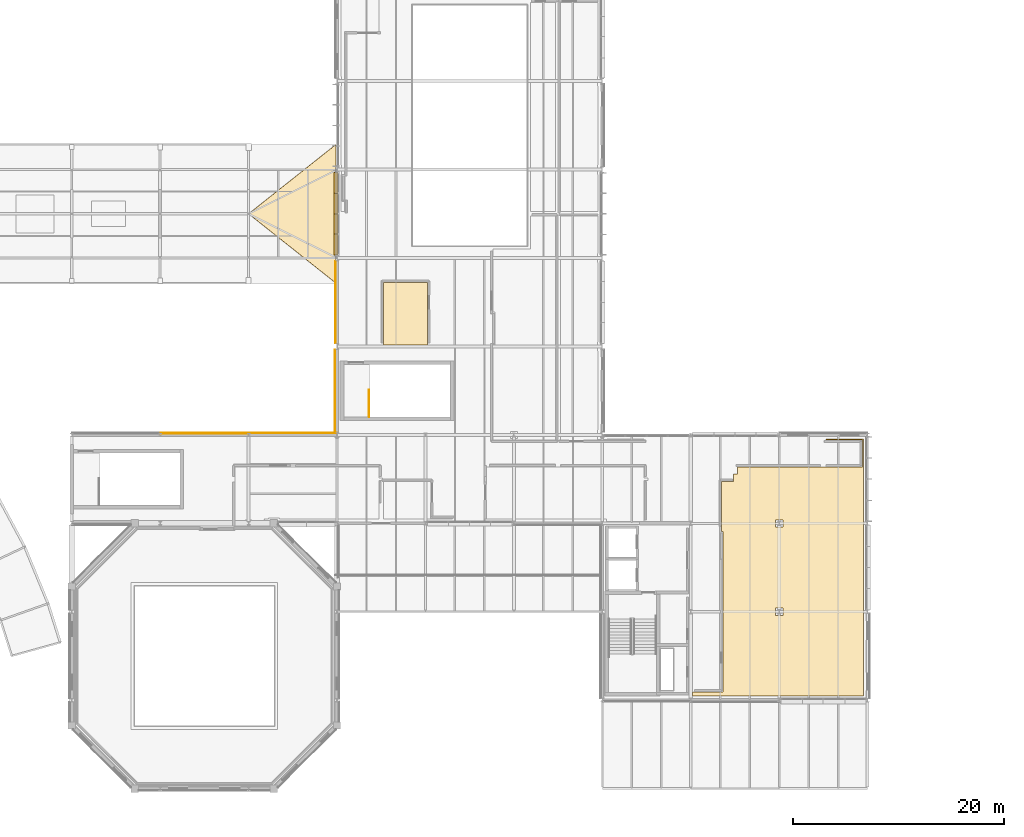
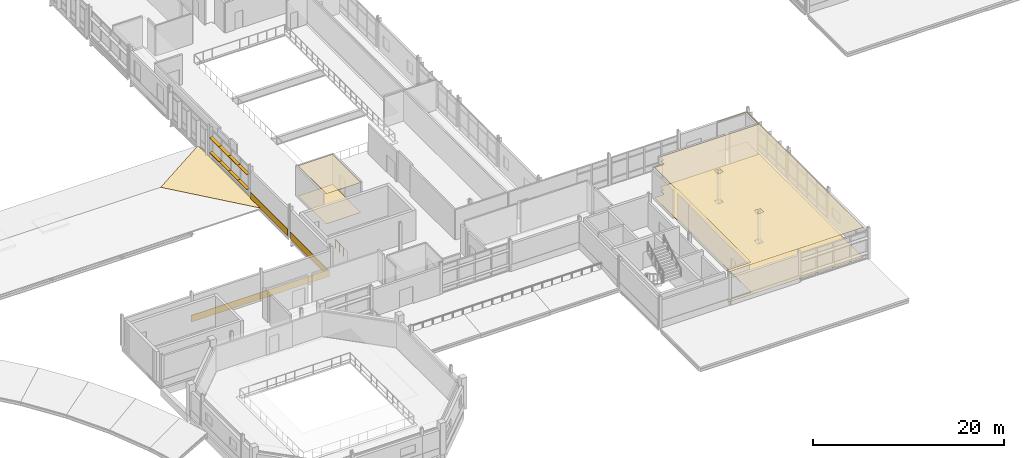
# One storey, part 137 of 151: 9 coverings, 8 shading devices, 1 railing.
"""IFC4 building model written with IfcOpenShell, lengths in metres."""

import ifcopenshell
import ifcopenshell.guid

model = None  # the IFC model being written
_history = None  # IfcOwnerHistory: only IFC2X3 demands one
_inside = {}  # id of a spatial element -> (the spatial element, [elements in it])
_under = {}  # id of a project, library or spatial element -> (it, [spatial elements below it])
_declared = {}  # id of a project -> (the project, [libraries it declares])
_typed = {}  # id of a type object -> (the type object, [elements of that type])
_made_of = {}  # id of a material, layer set ... -> (it, [elements and type objects made of it])


def new_model(schema):
    """Start an empty IFC model of exactly this schema.

    Asked for "IFC4X3", IfcOpenShell would pick the latest addendum, in which some entities
    have other attributes; the version numbers below select the first issue.
    IFC2X3 requires an IfcOwnerHistory on every rooted entity: one is made here for all.
    """
    global model, _history
    if schema == "IFC4X3":
        model = ifcopenshell.file(schema_version=(4, 3, 0, 0))
    else:
        model = ifcopenshell.file(schema=schema)
    _inside.clear()
    _under.clear()
    _declared.clear()
    _typed.clear()
    _made_of.clear()
    _history = None
    if model.schema == "IFC2X3":
        org = make("IfcOrganization", Name="unknown")
        user = make(
            "IfcPersonAndOrganization",
            ThePerson=make("IfcPerson", FamilyName="unknown"),
            TheOrganization=org,
        )
        app = make(
            "IfcApplication",
            ApplicationDeveloper=org,
            Version="unknown",
            ApplicationFullName="unknown",
            ApplicationIdentifier="unknown",
        )
        _history = make(
            "IfcOwnerHistory",
            OwningUser=user,
            OwningApplication=app,
            ChangeAction="ADDED",
            CreationDate=0,
        )
    return model


def make(cls, **values):
    """One entity of the class cls with the attributes given. An attribute that is None is left unset."""
    return model.create_entity(
        cls, **{name: value for name, value in values.items() if value is not None}
    )


def rooted(cls, **values):
    """An entity with a GlobalId (a new one), such as an element, a storey or a relation."""
    return make(cls, GlobalId=ifcopenshell.guid.new(), OwnerHistory=_history, **values)


def si_unit(unit_type, name, prefix=None):
    """IfcSIUnit, for example si_unit("LENGTHUNIT", "METRE", prefix="MILLI")."""
    return make("IfcSIUnit", UnitType=unit_type, Prefix=prefix, Name=name)


def assignment(units):
    """IfcUnitAssignment: the units of a project."""
    return None if units is None else make("IfcUnitAssignment", Units=units)


def point(xyz):
    """IfcCartesianPoint."""
    return None if xyz is None else make("IfcCartesianPoint", Coordinates=xyz)


def direction(xyz):
    """IfcDirection."""
    return None if xyz is None else make("IfcDirection", DirectionRatios=xyz)


def frame(location, z_axis=None, x_axis=None):
    """IfcAxis2Placement3D, a coordinate frame: its origin and axes. An axis left out is left unset."""
    return make(
        "IfcAxis2Placement3D",
        Location=point(location),
        Axis=direction(z_axis),
        RefDirection=direction(x_axis),
    )


def frame_2d(location, x_axis=None):
    """IfcAxis2Placement2D, a coordinate frame in the plane: its origin and x axis."""
    return make(
        "IfcAxis2Placement2D", Location=point(location), RefDirection=direction(x_axis)
    )


def origin():
    """The frame at (0, 0, 0) with its axes left unset."""
    return frame((0.0, 0.0, 0.0))


def origin_2d():
    """The frame at (0, 0) in the plane with its x axis left unset."""
    return frame_2d((0.0, 0.0))


def place(relative_to, where):
    """IfcLocalPlacement: puts the frame where relative to a parent placement (None: the world)."""
    return make(
        "IfcLocalPlacement", PlacementRelTo=relative_to, RelativePlacement=where
    )


def context(
    kind, dimensions, precision=None, world=None, true_north=None, identifier=None
):
    """IfcGeometricRepresentationContext, for example the 3D "Model" context."""
    return make(
        "IfcGeometricRepresentationContext",
        ContextIdentifier=identifier,
        ContextType=kind,
        CoordinateSpaceDimension=dimensions,
        Precision=precision,
        WorldCoordinateSystem=world,
        TrueNorth=true_north,
    )


def subcontext(parent, identifier, kind, view, scale=None):
    """IfcGeometricRepresentationSubContext, for example "Body" below "Model"."""
    return make(
        "IfcGeometricRepresentationSubContext",
        ContextIdentifier=identifier,
        ContextType=kind,
        ParentContext=parent,
        TargetScale=scale,
        TargetView=view,
    )


def project(units=None, contexts=None):
    """IfcProject with its units and contexts."""
    return rooted(
        "IfcProject",
        Name="project",
        RepresentationContexts=contexts,
        UnitsInContext=assignment(units),
    )


def spatial(cls, under=None, at=None, **own):
    """A site, building, storey or space (cls), placed at a placement, below another one or the project."""
    s = rooted(cls, ObjectPlacement=at, **own)
    if under is not None:
        _under.setdefault(under.id(), (under, []))[1].append(s)
    return s


def polyline(points):
    """IfcPolyline through the points."""
    return make("IfcPolyline", Points=[point(p) for p in points])


def profile(cls, at=None, kind="AREA", **sizes):
    """A parametric profile (cls). Its sizes go by their IFC names, for example OverallWidth=200.0."""
    return make(cls, ProfileType=kind, Position=at, **sizes)


def rectangle(**sizes):
    """IfcRectangleProfileDef."""
    return profile("IfcRectangleProfileDef", **sizes)


def circle(**sizes):
    """IfcCircleProfileDef."""
    return profile("IfcCircleProfileDef", **sizes)


def outline(outer, holes=None, kind="AREA"):
    """IfcArbitraryClosedProfileDef: a profile drawn as a closed curve; with holes, ...WithVoids."""
    if holes is None:
        return make("IfcArbitraryClosedProfileDef", ProfileType=kind, OuterCurve=outer)
    return make(
        "IfcArbitraryProfileDefWithVoids",
        ProfileType=kind,
        OuterCurve=outer,
        InnerCurves=holes,
    )


def extrude(swept, where, along, depth):
    """IfcExtrudedAreaSolid: the profile swept, set in the frame where, extruded along a direction by depth."""
    return make(
        "IfcExtrudedAreaSolid",
        SweptArea=swept,
        Position=where,
        ExtrudedDirection=direction(along),
        Depth=depth,
    )


def shape(context_of_items, identifier, shape_type, items):
    """IfcShapeRepresentation: the items that make up one representation, for example the "Body"."""
    return make(
        "IfcShapeRepresentation",
        ContextOfItems=context_of_items,
        RepresentationIdentifier=identifier,
        RepresentationType=shape_type,
        Items=items,
    )


def material(Name=None, Category=None):
    """IfcMaterial."""
    return make("IfcMaterial", Name=Name, Category=Category)


def layer(
    of_material, thickness, ventilated=None, Name=None, Category=None, Priority=None
):
    """IfcMaterialLayer: one layer of a wall or slab, of a material (None: an air gap)."""
    return make(
        "IfcMaterialLayer",
        Material=of_material,
        LayerThickness=thickness,
        IsVentilated=ventilated,
        Name=Name,
        Category=Category,
        Priority=Priority,
    )


def layer_set(layers, Name=None):
    """IfcMaterialLayerSet."""
    return make("IfcMaterialLayerSet", MaterialLayers=layers, LayerSetName=Name)


def made_of(thing, what):
    """Note that an element or type object is made of a material, layer set ...; save() writes the relation."""
    if what is not None:
        _made_of.setdefault(what.id(), (what, []))[1].append(thing)
    return thing


def type_object(cls, material=None, **own):
    """A type object (cls), such as IfcWallType, which elements share."""
    return made_of(rooted(cls, **own), material)


def element(
    cls,
    number,
    at=None,
    inside=None,
    cuts=None,
    type_object=None,
    material=None,
    context=None,
    identifier="Body",
    shape_type=None,
    held_by="IfcProductDefinitionShape",
    body=None,
    shapes=None,
    **own,
):
    """One element of the class cls, such as IfcWall. Its Tag is "e" and its number.

    at: its placement. inside: the storey or other place that contains it. cuts: it is an
    opening in that element (IfcRelVoidsElement). A single representation is given by context,
    identifier, shape_type and body (its items); several are given by shapes. held_by: the class
    of the entity that holds the representations. save() writes the other relations.
    """
    e = rooted(cls, Tag="e%d" % number, ObjectPlacement=at, **own)
    if body is not None:
        shapes = [shape(context, identifier, shape_type, body)]
    if shapes is not None:
        e.Representation = make(held_by, Representations=shapes)
    if inside is not None:
        _inside.setdefault(inside.id(), (inside, []))[1].append(e)
    if cuts is not None:
        rooted(
            "IfcRelVoidsElement", RelatingBuildingElement=cuts, RelatedOpeningElement=e
        )
    if type_object is not None:
        _typed.setdefault(type_object.id(), (type_object, []))[1].append(e)
    return made_of(e, material)


def aggregate(whole, parts):
    """IfcRelAggregates: a whole, such as a stair, and the parts it consists of."""
    return rooted("IfcRelAggregates", RelatingObject=whole, RelatedObjects=parts)


def save(model, path):
    """Write the relations noted so far, then the file.

    IfcRelAggregates (storeys below a building ...), IfcRelContainedInSpatialStructure (elements
    in a storey), IfcRelDefinesByType, IfcRelAssociatesMaterial and IfcRelDeclares: one each for
    every whole, place, type object, material and project.
    """
    for whole, parts in _under.values():
        aggregate(whole, parts)
    for where, things in _inside.values():
        rooted(
            "IfcRelContainedInSpatialStructure",
            RelatedElements=things,
            RelatingStructure=where,
        )
    for kind, things in _typed.values():
        rooted("IfcRelDefinesByType", RelatedObjects=things, RelatingType=kind)
    for what, things in _made_of.values():
        rooted("IfcRelAssociatesMaterial", RelatedObjects=things, RelatingMaterial=what)
    for by, libraries in _declared.values():
        rooted("IfcRelDeclares", RelatingContext=by, RelatedDefinitions=libraries)
    model.write(path)


model = new_model("IFC4")

# Units and contexts
model_context = context("Model", 3, precision=1e-05, world=origin(), true_north=direction((0.0, 1.0)))
body_context = subcontext(model_context, "Body", "Model", "MODEL_VIEW")
ifc_project = project(units=[si_unit("LENGTHUNIT", "METRE"), si_unit("AREAUNIT", "SQUARE_METRE"), si_unit("VOLUMEUNIT", "CUBIC_METRE"), si_unit("PLANEANGLEUNIT", "RADIAN"), si_unit("MASSUNIT", "GRAM", prefix="KILO")], contexts=[model_context])

# Site, building, storey
site_placement = place(None, origin())
site = spatial("IfcSite", under=ifc_project, at=site_placement, CompositionType="ELEMENT")
building_placement = place(site_placement, origin())
building = spatial("IfcBuilding", under=site, at=building_placement, Name="Mersafa Astral City Hall", CompositionType="ELEMENT")
storey_placement = place(building_placement, frame((0.0, 0.0, 9.89990234375)))
storey = spatial("IfcBuildingStorey", under=building, at=storey_placement, Name="L02", CompositionType="ELEMENT", Elevation=9.89990234375)

# Coverings
ifc_material_1 = material(Name="Cairo Mokattam buff limestone cladding", Category="masonry")
ifc_layer_1 = layer(ifc_material_1, 0.06005859375, Name="Cairo Mokattam buff limestone cladding")
ifc_layer_set_1 = layer_set([ifc_layer_1], Name="Cairo Mokattam buff limestone cladding — ENV-COV-LIMESTONE-60")
covering_type_1 = type_object("IfcCoveringType", Name="ENV-COV-LIMESTONE-60", PredefinedType="CLADDING", material=ifc_layer_set_1)
for number, where, z_axis, x_axis, name in (
    (1, (92.260498046875, 46.199951171875, 0.0), (0.0, 0.0, 1.0), (0.0, -1.0, 0.0), "L02 Cairo buff limestone rainscreen cladding 208"),
    (2, (92.222900390625, 37.800048828125, 0.0), (0.0, 0.0, 1.0), (0.0, -1.0, 0.0), "L02 Cairo buff limestone rainscreen cladding 209"),
):
    element("IfcCovering", number, at=place(storey_placement, frame(where, z_axis=z_axis, x_axis=x_axis)), inside=storey, type_object=covering_type_1, Name=name, PredefinedType="CLADDING", context=body_context, shape_type="SweptSolid", body=[
        extrude(rectangle(XDim=7.798095703125, YDim=0.06005859375, at=origin_2d()), origin(), (0.0, 0.0, 1.0), 0.860107421875),
    ])
for number, where, z_axis, x_axis, name in (
    (3, (88.199951171875, 33.76953125, 0.0), (0.0, 0.0, 1.0), (-1.0, 0.0, 0.0), "L02 Cairo buff limestone rainscreen cladding 210"),
    (4, (79.800048828125, 33.761962890625, 0.0), (0.0, 0.0, 1.0), (-1.0, 0.0, 0.0), "L02 Cairo buff limestone rainscreen cladding 211"),
):
    element("IfcCovering", number, at=place(storey_placement, frame(where, z_axis=z_axis, x_axis=x_axis)), inside=storey, type_object=covering_type_1, Name=name, PredefinedType="CLADDING", context=body_context, shape_type="SweptSolid", body=[
        extrude(rectangle(XDim=8.323974609375, YDim=0.06005859375, at=origin_2d()), origin(), (0.0, 0.0, 1.0), 0.860107421875),
    ])
ifc_material_2 = material(Name="Egyptian ceramic terracotta roof tile", Category="masonry")
ifc_layer_2 = layer(ifc_material_2, 0.054931640625, Name="Egyptian ceramic terracotta roof tile")
ifc_layer_set_2 = layer_set([ifc_layer_2], Name="Egyptian ceramic terracotta roof tile — ENV-COV-TERRACOTTA-55")
covering_type_2 = type_object("IfcCoveringType", Name="ENV-COV-TERRACOTTA-55", PredefinedType="ROOFING", material=ifc_layer_set_2)
covering_1_placement = place(storey_placement, frame((92.320068359375, 48.0, 0.052978515625), z_axis=(0.187105484989, 0.0, 0.982339827904), x_axis=(0.0, 1.0, 0.0)))
element("IfcCovering", 5, at=covering_1_placement, inside=storey, type_object=covering_type_2, Name="L02 Warm terracotta ceramic roof tile covering 26", PredefinedType="ROOFING", context=body_context, shape_type="SweptSolid", body=[
    extrude(outline(polyline([(0.0, 0.0), (13.199951171875, 0.0), (6.60009765625, 8.469643725149883), (0.0, 0.0)])), origin(), (0.0, 0.0, -1.0), 0.054931640625),
])

# Shading devices
ifc_material_3 = material(Name="Kiln-dried cedar timber brise-soleil blade", Category="wood")
shading_device_type = type_object("IfcShadingDeviceType", Name="ENV-SHD-LOUVRE-380", PredefinedType="JALOUSIE", material=ifc_material_3)
shading_device_1_placement = place(storey_placement, frame((92.320068359375, 57.519775390625, 0.81494140625), z_axis=(0.0, 0.0, 1.0), x_axis=(0.0, -1.0, 0.0)))
element("IfcShadingDevice", 6, at=shading_device_1_placement, inside=storey, type_object=shading_device_type, Name="L02 Horizontal cedar brise-soleil louvre 939", PredefinedType="JALOUSIE", context=body_context, shape_type="SweptSolid", body=[
    extrude(rectangle(XDim=1.966552734375, YDim=0.3798828125, at=origin_2d()), origin(), (0.0, 0.0, 1.0), 0.070068359375),
])
for number, where, z_axis, x_axis, name in (
    (7, (92.320068359375, 55.578125, 0.81494140625), (0.0, 0.0, 1.0), (0.0, -1.0, 0.0), "L02 Horizontal cedar brise-soleil louvre 940"),
    (8, (92.320068359375, 53.62158203125, 0.81494140625), (0.0, 0.0, 1.0), (0.0, -1.0, 0.0), "L02 Horizontal cedar brise-soleil louvre 941"),
):
    element("IfcShadingDevice", number, at=place(storey_placement, frame(where, z_axis=z_axis, x_axis=x_axis)), inside=storey, type_object=shading_device_type, Name=name, PredefinedType="JALOUSIE", context=body_context, shape_type="SweptSolid", body=[
        extrude(rectangle(XDim=1.99658203125, YDim=0.3798828125, at=origin_2d()), origin(), (0.0, 0.0, 1.0), 0.070068359375),
    ])
for number, where, z_axis, x_axis, name in (
    (9, (92.320068359375, 51.680419921875, 0.81494140625), (0.0, 0.0, 1.0), (0.0, -1.0, 0.0), "L02 Horizontal cedar brise-soleil louvre 942"),
    (10, (92.320068359375, 57.519775390625, 2.71484375), (0.0, 0.0, 1.0), (0.0, -1.0, 0.0), "L02 Horizontal cedar brise-soleil louvre 943"),
):
    element("IfcShadingDevice", number, at=place(storey_placement, frame(where, z_axis=z_axis, x_axis=x_axis)), inside=storey, type_object=shading_device_type, Name=name, PredefinedType="JALOUSIE", context=body_context, shape_type="SweptSolid", body=[
        extrude(rectangle(XDim=1.966552734375, YDim=0.3798828125, at=origin_2d()), origin(), (0.0, 0.0, 1.0), 0.070068359375),
    ])
for number, where, z_axis, x_axis, name in (
    (11, (92.320068359375, 55.578125, 2.71484375), (0.0, 0.0, 1.0), (0.0, -1.0, 0.0), "L02 Horizontal cedar brise-soleil louvre 944"),
    (12, (92.320068359375, 53.62158203125, 2.71484375), (0.0, 0.0, 1.0), (0.0, -1.0, 0.0), "L02 Horizontal cedar brise-soleil louvre 945"),
):
    element("IfcShadingDevice", number, at=place(storey_placement, frame(where, z_axis=z_axis, x_axis=x_axis)), inside=storey, type_object=shading_device_type, Name=name, PredefinedType="JALOUSIE", context=body_context, shape_type="SweptSolid", body=[
        extrude(rectangle(XDim=1.99658203125, YDim=0.3798828125, at=origin_2d()), origin(), (0.0, 0.0, 1.0), 0.070068359375),
    ])
shading_device_2_placement = place(storey_placement, frame((92.320068359375, 51.680419921875, 2.71484375), z_axis=(0.0, 0.0, 1.0), x_axis=(0.0, -1.0, 0.0)))
element("IfcShadingDevice", 13, at=shading_device_2_placement, inside=storey, type_object=shading_device_type, Name="L02 Horizontal cedar brise-soleil louvre 946", PredefinedType="JALOUSIE", context=body_context, shape_type="SweptSolid", body=[
    extrude(rectangle(XDim=1.966552734375, YDim=0.3798828125, at=origin_2d()), origin(), (0.0, 0.0, 1.0), 0.070068359375),
])

# Railing
ifc_material_4 = material(Name="Painted architectural steel stair guard balustrade", Category="steel")
railing_type = type_object("IfcRailingType", Name="GUARD-RAIL", PredefinedType="BALUSTRADE", material=ifc_material_4)
railing_placement = place(storey_placement, frame((95.449951171875, 35.320068359375, 0.0)))
element("IfcRailing", 14, at=railing_placement, inside=storey, type_object=railing_type, Name="L02 ST8 top well guard 1", PredefinedType="BALUSTRADE", context=body_context, shape_type="SweptSolid", body=[
    extrude(circle(Radius=0.02392578125, at=origin_2d()), frame((0.0, 0.0, 1.09619140625), z_axis=(0.0, 1.0, 0.0), x_axis=(-1.0, 0.0, 0.0)), (0.0, 0.0, 1.0), 2.559814453125),
    extrude(circle(Radius=0.02099609375, at=origin_2d()), origin(), (0.0, 0.0, 1.0), 1.072021484375),
    extrude(circle(Radius=0.02099609375, at=origin_2d()), frame((0.0, 0.853271484375, 0.0)), (0.0, 0.0, 1.0), 1.072021484375),
    extrude(circle(Radius=0.02099609375, at=origin_2d()), frame((0.0, 1.70654296875, 0.0)), (0.0, 0.0, 1.0), 1.072021484375),
    extrude(circle(Radius=0.02099609375, at=origin_2d()), frame((0.0, 2.559814453125, 0.0)), (0.0, 0.0, 1.0), 1.072021484375),
])

# Coverings
ifc_material_5 = material(Name="Perforated acoustic gypsum board ceiling", Category="gypsum")
ifc_layer_3 = layer(ifc_material_5, 0.02490234375, Name="Perforated acoustic gypsum board ceiling")
ifc_layer_set_3 = layer_set([ifc_layer_3], Name="Perforated acoustic gypsum board ceiling — INT-COV-CEIL-25")
covering_type_3 = type_object("IfcCoveringType", Name="INT-COV-CEIL-25", PredefinedType="CEILING", material=ifc_layer_set_3)
covering_2_placement = place(storey_placement, frame((0.0, 0.0, 3.8310546875)))
element("IfcCovering", 15, at=covering_2_placement, inside=storey, type_object=covering_type_3, Name="L02 Public Restroom L02-28 acoustic ceiling", PredefinedType="CEILING", context=body_context, shape_type="SweptSolid", body=[
    extrude(outline(polyline([(96.830078125, 42.159912109375), (96.830078125, 48.080078125), (100.989990234375, 48.080078125), (100.989990234375, 42.159912109375), (96.830078125, 42.159912109375)])), origin(), (0.0, 0.0, 1.0), 0.025146484375),
])
covering_3_placement = place(storey_placement, frame((0.0, 0.0, 3.8310546875)))
element("IfcCovering", 16, at=covering_3_placement, inside=storey, type_object=covering_type_3, Name="L02 Urban Planning Studio L02-34 acoustic ceiling", PredefinedType="CEILING", context=body_context, shape_type="SweptSolid", body=[
    extrude(outline(polyline([(128.93994140625, 29.169921875), (130.080078125, 29.169921875), (130.080078125, 29.8701171875), (130.429931640625, 29.8701171875), (130.429931640625, 30.56005859375), (142.320068359375, 30.56005859375), (142.320068359375, 33.1201171875), (138.830078125, 33.1201171875), (138.830078125, 33.199951171875), (142.39990234375, 33.199951171875), (142.39990234375, 8.800048828125), (126.159912109375, 8.800048828125), (126.159912109375, 9.179931640625), (129.0400390625, 9.179931640625), (129.0400390625, 24.419921875), (128.93994140625, 24.419921875), (128.93994140625, 29.169921875)]), holes=[polyline([(134.75, 16.449951171875), (134.75, 17.14990234375), (134.050048828125, 17.14990234375), (134.050048828125, 16.449951171875), (134.75, 16.449951171875)]), polyline([(134.739990234375, 24.860107421875), (134.739990234375, 25.5400390625), (134.06005859375, 25.5400390625), (134.06005859375, 24.860107421875), (134.739990234375, 24.860107421875)])]), origin(), (0.0, 0.0, 1.0), 0.025146484375),
])
ifc_material_6 = material(Name="Heavy-duty woven acoustic carpet tile", Category="finish")
ifc_layer_4 = layer(ifc_material_6, 0.014892578125, Name="Heavy-duty woven acoustic carpet tile")
ifc_layer_set_4 = layer_set([ifc_layer_4], Name="Heavy-duty woven acoustic carpet tile — INT-COV-FLR-15")
covering_type_4 = type_object("IfcCoveringType", Name="INT-COV-FLR-15", PredefinedType="FLOORING", material=ifc_layer_set_4)
covering_4_placement = place(storey_placement, frame((0.0, 0.0, -0.00146484375)))
element("IfcCovering", 17, at=covering_4_placement, inside=storey, type_object=covering_type_4, Name="L02 Public Restroom L02-28 architectural flooring", PredefinedType="FLOORING", context=body_context, shape_type="SweptSolid", body=[
    extrude(outline(polyline([(96.830078125, 42.159912109375), (96.830078125, 48.080078125), (100.989990234375, 48.080078125), (100.989990234375, 42.159912109375), (96.830078125, 42.159912109375)])), origin(), (0.0, 0.0, 1.0), 0.014892578125),
])
covering_5_placement = place(storey_placement, frame((0.0, 0.0, -0.00146484375)))
element("IfcCovering", 18, at=covering_5_placement, inside=storey, type_object=covering_type_4, Name="L02 Urban Planning Studio L02-34 architectural flooring", PredefinedType="FLOORING", context=body_context, shape_type="SweptSolid", body=[
    extrude(outline(polyline([(128.93994140625, 29.169921875), (130.080078125, 29.169921875), (130.080078125, 29.8701171875), (130.429931640625, 29.8701171875), (130.429931640625, 30.56005859375), (142.320068359375, 30.56005859375), (142.320068359375, 33.1201171875), (138.830078125, 33.1201171875), (138.830078125, 33.199951171875), (142.39990234375, 33.199951171875), (142.39990234375, 8.800048828125), (126.159912109375, 8.800048828125), (126.159912109375, 9.179931640625), (129.0400390625, 9.179931640625), (129.0400390625, 24.419921875), (128.93994140625, 24.419921875), (128.93994140625, 29.169921875)]), holes=[polyline([(134.75, 16.449951171875), (134.75, 17.14990234375), (134.050048828125, 17.14990234375), (134.050048828125, 16.449951171875), (134.75, 16.449951171875)]), polyline([(134.739990234375, 24.860107421875), (134.739990234375, 25.5400390625), (134.06005859375, 25.5400390625), (134.06005859375, 24.860107421875), (134.739990234375, 24.860107421875)])]), origin(), (0.0, 0.0, 1.0), 0.014892578125),
])

save(model, "model.ifc")
